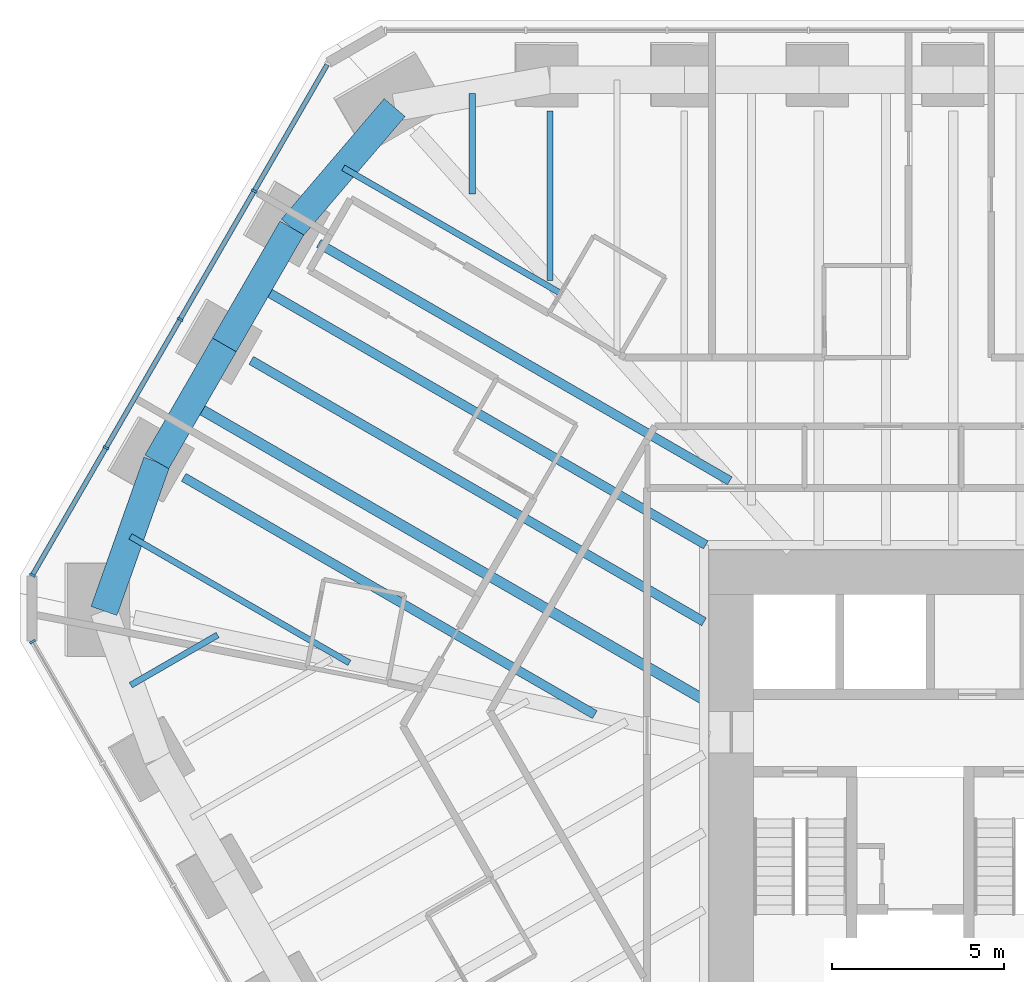
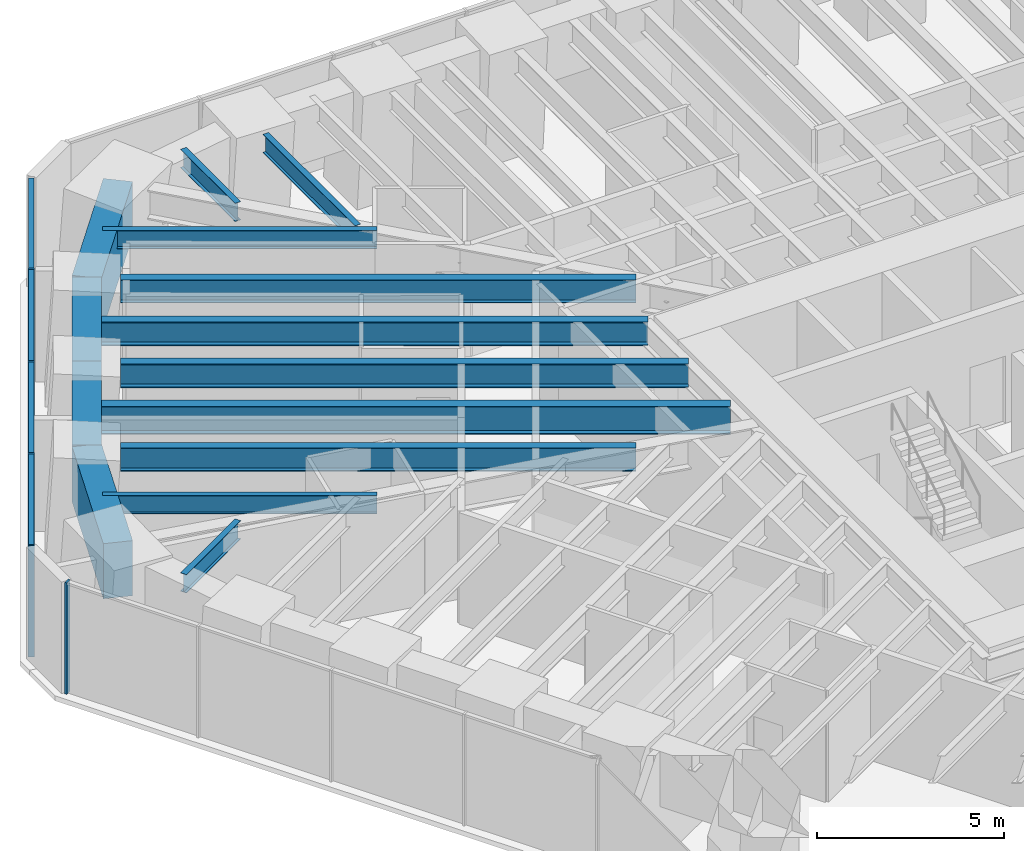
# One storey, part 7 of 17: 14 beams, 9 members, 2 elements without a shape of their own.
"""IFC4 building model written with IfcOpenShell, lengths in metres."""

from ifc_helpers import new_model, si_unit, direction, frame, origin, origin_2d, place, context, subcontext, project, spatial, rectangle, i_section, extrude, material, material_profile, profile_set, type_object, element, aggregate, save


model = new_model("IFC4")

# Units and contexts
model_context = context("Model", 3, precision=1e-05, world=origin(), true_north=direction((0.0, 1.0)))
body_context = subcontext(model_context, "Body", "Model", "MODEL_VIEW")
ifc_project = project(units=[si_unit("LENGTHUNIT", "METRE"), si_unit("AREAUNIT", "SQUARE_METRE"), si_unit("VOLUMEUNIT", "CUBIC_METRE"), si_unit("PLANEANGLEUNIT", "RADIAN"), si_unit("MASSUNIT", "GRAM", prefix="KILO")], contexts=[model_context])

# Site, building, storey
site_placement = place(None, origin())
site = spatial("IfcSite", under=ifc_project, at=site_placement, CompositionType="ELEMENT")
building_placement = place(site_placement, origin())
building = spatial("IfcBuilding", under=site, at=building_placement, Name="Sandreach Pilgrim Tower", CompositionType="ELEMENT")
storey_placement = place(building_placement, frame((0.0, 0.0, 150.0)))
storey = spatial("IfcBuildingStorey", under=building, at=storey_placement, Name="L37", CompositionType="ELEMENT", Elevation=150.0)

# Curtain wall, member
ifc_material_1 = material(Name="Aluminium framed curtain wall", Category="aluminium")
curtain_wall_type = type_object("IfcCurtainWallType", Name="Hotel tower curtain wall", PredefinedType="NOTDEFINED", material=ifc_material_1)
curtain_wall_1_placement = place(storey_placement, origin())
curtain_wall_1 = element("IfcCurtainWall", 1, at=curtain_wall_1_placement, inside=storey, type_object=curtain_wall_type, Name="CW-2 L37 SW", PredefinedType="NOTDEFINED")
ifc_material_2 = material(Name="Aluminium extrusion", Category="aluminium")
ifc_material_profile_1 = material_profile(ifc_material_2, rectangle(XDim=0.06494140625, YDim=0.179931640625, at=origin_2d()), Name="CW-2M 65X180")
ifc_profile_set_1 = profile_set([ifc_material_profile_1], Name="Aluminium extrusion")
member_type_1 = type_object("IfcMemberType", Name="CW-2 mullion", PredefinedType="MULLION", material=ifc_profile_set_1)
member_1_placement = place(storey_placement, frame((-28.70458984375, 4.730224609375, 0.0), z_axis=(0.0, 0.0, 1.0), x_axis=(-0.5, 0.866025403784, 0.0)))
member_1 = element("IfcMember", 2, at=member_1_placement, type_object=member_type_1, Name="CW-2 mullion 10", PredefinedType="MULLION", context=body_context, shape_type="SweptSolid", body=[
    extrude(rectangle(XDim=0.06494140625, YDim=0.179931640625, at=origin_2d()), origin(), (0.0, 0.0, 1.0), 3.639892578125),
])
aggregate(curtain_wall_1, [member_1])

# Curtain wall, members
curtain_wall_2_placement = place(storey_placement, origin())
curtain_wall_2 = element("IfcCurtainWall", 3, at=curtain_wall_2_placement, inside=storey, type_object=curtain_wall_type, Name="CW-2 L37 NW", PredefinedType="NOTDEFINED")
member_2_placement = place(storey_placement, frame((-28.70458984375, 6.66650390625, 0.0), z_axis=(0.0, 0.0, 1.0), x_axis=(0.5, 0.866025403784, 0.0)))
member_2 = element("IfcMember", 4, at=member_2_placement, type_object=member_type_1, Name="CW-2 mullion 1", PredefinedType="MULLION", context=body_context, shape_type="SweptSolid", body=[
    extrude(rectangle(XDim=0.06494140625, YDim=0.179931640625, at=origin_2d()), origin(), (0.0, 0.0, 1.0), 3.639892578125),
])
member_3_placement = place(storey_placement, frame((-26.568115234375, 10.3671875, 0.0), z_axis=(0.0, 0.0, 1.0), x_axis=(0.5, 0.866025403784, 0.0)))
member_3 = element("IfcMember", 5, at=member_3_placement, type_object=member_type_1, Name="CW-2 mullion 2", PredefinedType="MULLION", context=body_context, shape_type="SweptSolid", body=[
    extrude(rectangle(XDim=0.06494140625, YDim=0.179931640625, at=origin_2d()), origin(), (0.0, 0.0, 1.0), 3.639892578125),
])
member_4_placement = place(storey_placement, frame((-24.415283203125, 14.09619140625, 0.0), z_axis=(0.0, 0.0, 1.0), x_axis=(0.5, 0.866025403784, 0.0)))
member_4 = element("IfcMember", 6, at=member_4_placement, type_object=member_type_1, Name="CW-2 mullion 3", PredefinedType="MULLION", context=body_context, shape_type="SweptSolid", body=[
    extrude(rectangle(XDim=0.06494140625, YDim=0.179931640625, at=origin_2d()), origin(), (0.0, 0.0, 1.0), 3.639892578125),
])
member_5_placement = place(storey_placement, frame((-22.262451171875, 17.824951171875, 0.0), z_axis=(0.0, 0.0, 1.0), x_axis=(0.5, 0.866025403784, 0.0)))
member_5 = element("IfcMember", 7, at=member_5_placement, type_object=member_type_1, Name="CW-2 mullion 4", PredefinedType="MULLION", context=body_context, shape_type="SweptSolid", body=[
    extrude(rectangle(XDim=0.06494140625, YDim=0.179931640625, at=origin_2d()), origin(), (0.0, 0.0, 1.0), 3.639892578125),
])
ifc_material_3 = material(Name="Aluminium extrusion", Category="aluminium")
ifc_material_profile_2 = material_profile(ifc_material_3, rectangle(XDim=0.139892578125, YDim=0.070068359375, at=origin_2d()), Name="CW-2T 140X70")
ifc_profile_set_2 = profile_set([ifc_material_profile_2], Name="Aluminium extrusion")
member_type_2 = type_object("IfcMemberType", Name="CW-2 transom", PredefinedType="USERDEFINED", material=ifc_profile_set_2)
member_6_placement = place(storey_placement, frame((-28.6884765625, 6.69482421875, 3.60498046875), z_axis=(0.500038835258, 0.866002981077, 0.0), x_axis=(-0.866002981077, 0.500038835258, 0.0)))
member_6 = element("IfcMember", 8, at=member_6_placement, type_object=member_type_2, Name="CW-2 head transom 1", ObjectType="TRANSOM", PredefinedType="USERDEFINED", context=body_context, shape_type="SweptSolid", body=[
    extrude(rectangle(XDim=0.139892578125, YDim=0.070068359375, at=origin_2d()), origin(), (0.0, 0.0, 1.0), 4.208251953125),
])
member_7_placement = place(storey_placement, frame((-26.5517578125, 10.3955078125, 3.60498046875), z_axis=(0.500021471012, 0.866013007135, 0.0), x_axis=(-0.866013007135, 0.500021471012, 0.0)))
member_7 = element("IfcMember", 9, at=member_7_placement, type_object=member_type_2, Name="CW-2 head transom 2", ObjectType="TRANSOM", PredefinedType="USERDEFINED", context=body_context, shape_type="SweptSolid", body=[
    extrude(rectangle(XDim=0.139892578125, YDim=0.070068359375, at=origin_2d()), origin(), (0.0, 0.0, 1.0), 4.240478515625),
])
member_8_placement = place(storey_placement, frame((-24.39892578125, 14.124267578125, 3.60498046875), z_axis=(0.499996541496, 0.866027400544, 0.0), x_axis=(-0.866027400544, 0.499996541496, 0.0)))
member_8 = element("IfcMember", 10, at=member_8_placement, type_object=member_type_2, Name="CW-2 head transom 3", ObjectType="TRANSOM", PredefinedType="USERDEFINED", context=body_context, shape_type="SweptSolid", body=[
    extrude(rectangle(XDim=0.139892578125, YDim=0.070068359375, at=origin_2d()), origin(), (0.0, 0.0, 1.0), 4.24072265625),
])
member_9_placement = place(storey_placement, frame((-22.24609375, 17.85302734375, 3.60498046875), z_axis=(0.49997020258, 0.86604260665, 0.0), x_axis=(-0.86604260665, 0.49997020258, 0.0)))
member_9 = element("IfcMember", 11, at=member_9_placement, type_object=member_type_2, Name="CW-2 head transom 4", ObjectType="TRANSOM", PredefinedType="USERDEFINED", context=body_context, shape_type="SweptSolid", body=[
    extrude(rectangle(XDim=0.139892578125, YDim=0.070068359375, at=origin_2d()), origin(), (0.0, 0.0, 1.0), 4.208251953125),
])
aggregate(curtain_wall_2, [member_2, member_3, member_4, member_5, member_6, member_7, member_8, member_9])

# Beams
ifc_material_4 = material(Name="Steel ASTM A992 Grade 50", Category="steel")
ifc_material_profile_3 = material_profile(ifc_material_4, i_section(OverallWidth=0.1787109375, OverallDepth=0.60205078125, WebThickness=0.010986328125, FlangeThickness=0.014892578125, at=origin_2d()), Name="W24X62")
ifc_profile_set_3 = profile_set([ifc_material_profile_3], Name="Steel ASTM A992 Grade 50")
beam_type_1 = type_object("IfcBeamType", Name="Floor beam W24X62", PredefinedType="BEAM", material=ifc_profile_set_3)
beam_1_placement = place(storey_placement, frame((-13.673095703125, 20.154052734375, 3.339111328125), z_axis=(0.0, -1.0, 0.0), x_axis=(1.0, 0.0, 0.0)))
element("IfcBeam", 12, at=beam_1_placement, inside=storey, type_object=beam_type_1, Name="BM L37 F01", PredefinedType="BEAM", context=body_context, shape_type="SweptSolid", body=[
    extrude(i_section(OverallWidth=0.1787109375, OverallDepth=0.60205078125, WebThickness=0.010986328125, FlangeThickness=0.014892578125, at=origin_2d()), origin(), (0.0, 0.0, 1.0), 4.9267578125),
])
beam_2_placement = place(storey_placement, frame((-25.84912109375, 3.46826171875, 3.339111328125), z_axis=(0.866058604602, 0.499942490088, 0.0), x_axis=(-0.499942490088, 0.866058604602, 0.0)))
element("IfcBeam", 13, at=beam_2_placement, inside=storey, type_object=beam_type_1, Name="BM L37 FM34", PredefinedType="BEAM", context=body_context, shape_type="SweptSolid", body=[
    extrude(i_section(OverallWidth=0.1787109375, OverallDepth=0.60205078125, WebThickness=0.010986328125, FlangeThickness=0.014892578125, at=origin_2d()), origin(), (0.0, 0.0, 1.0), 2.913330078125),
])
for number, where, z_axis, x_axis, name in (
    (14, (-25.859375, 7.78955078125, 3.339111328125), (0.866019551165, -0.500010136897, 0.0), (0.500010136897, 0.866019551165, 0.0), "BM L37 FM35"),
    (15, (-19.675537109375, 18.5, 3.339111328125), (0.866033942116, -0.499985210883, 0.0), (0.499985210883, 0.866033942116, 0.0), "BM L37 FM38"),
):
    element("IfcBeam", number, at=place(storey_placement, frame(where, z_axis=z_axis, x_axis=x_axis)), inside=storey, type_object=beam_type_1, Name=name, PredefinedType="BEAM", context=body_context, shape_type="SweptSolid", body=[
        extrude(i_section(OverallWidth=0.1787109375, OverallDepth=0.60205078125, WebThickness=0.010986328125, FlangeThickness=0.014892578125, at=origin_2d()), origin(), (0.0, 0.0, 1.0), 7.345947265625),
    ])
beam_3_placement = place(storey_placement, frame((-15.927978515625, 20.65185546875, 3.339111328125), z_axis=(0.0, -1.0, 0.0), x_axis=(1.0, 0.0, 0.0)))
element("IfcBeam", 16, at=beam_3_placement, inside=storey, type_object=beam_type_1, Name="BM L37 FM39", PredefinedType="BEAM", context=body_context, shape_type="SweptSolid", body=[
    extrude(i_section(OverallWidth=0.1787109375, OverallDepth=0.60205078125, WebThickness=0.010986328125, FlangeThickness=0.014892578125, at=origin_2d()), origin(), (0.0, 0.0, 1.0), 2.913330078125),
])
ifc_material_5 = material(Name="Steel ASTM A992 Grade 50", Category="steel")
ifc_material_profile_4 = material_profile(ifc_material_5, i_section(OverallWidth=0.2666015625, OverallDepth=0.761962890625, WebThickness=0.014404296875, FlangeThickness=0.021484375, at=origin_2d()), Name="W30X116")
ifc_profile_set_4 = profile_set([ifc_material_profile_4], Name="Steel ASTM A992 Grade 50")
beam_type_2 = type_object("IfcBeamType", Name="Floor beam W30X116", PredefinedType="BEAM", material=ifc_profile_set_4)
for number, where, z_axis, x_axis, name in (
    (17, (-24.31103515625, 9.507080078125, 3.259033203125), (0.866023159588, -0.500003887042, 0.0), (0.500003887042, 0.866023159588, 0.0), "BM L37 F36"),
    (18, (-20.388916015625, 16.300537109375, 3.259033203125), (0.866023159588, -0.500003887042, 0.0), (0.500003887042, 0.866023159588, 0.0), "BM L37 F38"),
):
    element("IfcBeam", number, at=place(storey_placement, frame(where, z_axis=z_axis, x_axis=x_axis)), inside=storey, type_object=beam_type_2, Name=name, PredefinedType="BEAM", context=body_context, shape_type="SweptSolid", body=[
        extrude(i_section(OverallWidth=0.2666015625, OverallDepth=0.761962890625, WebThickness=0.014404296875, FlangeThickness=0.021484375, at=origin_2d()), origin(), (0.0, 0.0, 1.0), 13.7919921875),
    ])
ifc_material_6 = material(Name="Steel ASTM A992 Grade 50", Category="steel")
ifc_material_profile_5 = material_profile(ifc_material_6, i_section(OverallWidth=0.2666015625, OverallDepth=0.77978515625, WebThickness=0.0166015625, FlangeThickness=0.030029296875, at=origin_2d()), Name="W30X148")
ifc_profile_set_5 = profile_set([ifc_material_profile_5], Name="Steel ASTM A992 Grade 50")
beam_type_3 = type_object("IfcBeamType", Name="Floor beam W30X148", PredefinedType="BEAM", material=ifc_profile_set_5)
beam_4_placement = place(storey_placement, frame((-22.35009765625, 12.90380859375, 3.25), z_axis=(0.866028229025, -0.499995106507, 0.0), x_axis=(0.499995106507, 0.866028229025, 0.0)))
element("IfcBeam", 19, at=beam_4_placement, inside=storey, type_object=beam_type_3, Name="BM L37 F37", PredefinedType="BEAM", context=body_context, shape_type="SweptSolid", body=[
    extrude(i_section(OverallWidth=0.2666015625, OverallDepth=0.77978515625, WebThickness=0.0166015625, FlangeThickness=0.030029296875, at=origin_2d()), origin(), (0.0, 0.0, 1.0), 15.192138671875),
])
beam_5_placement = place(storey_placement, frame((-22.14892578125, 15.05224609375, 3.25), z_axis=(0.866025588148, -0.499999680672, 0.0), x_axis=(0.499999680672, 0.866025588148, 0.0)))
element("IfcBeam", 20, at=beam_5_placement, inside=storey, type_object=beam_type_3, Name="BM L37 FM37", PredefinedType="BEAM", context=body_context, shape_type="SweptSolid", body=[
    extrude(i_section(OverallWidth=0.2666015625, OverallDepth=0.77978515625, WebThickness=0.0166015625, FlangeThickness=0.030029296875, at=origin_2d()), origin(), (0.0, 0.0, 1.0), 15.017578125),
])
ifc_material_7 = material(Name="Steel ASTM A992 Grade 50", Category="steel")
ifc_material_profile_6 = material_profile(ifc_material_7, i_section(OverallWidth=0.3046875, OverallDepth=0.914306640625, WebThickness=0.0166015625, FlangeThickness=0.02587890625, at=origin_2d()), Name="W36X160")
ifc_profile_set_6 = profile_set([ifc_material_profile_6], Name="Steel ASTM A992 Grade 50")
beam_type_4 = type_object("IfcBeamType", Name="Floor beam W36X160", PredefinedType="BEAM", material=ifc_profile_set_6)
beam_6_placement = place(storey_placement, frame((-24.110107421875, 11.655517578125, 3.182861328125), z_axis=(0.866022482888, -0.500005059107, 0.0), x_axis=(0.500005059107, 0.866022482888, 0.0)))
element("IfcBeam", 21, at=beam_6_placement, inside=storey, type_object=beam_type_4, Name="BM L37 FM36", PredefinedType="BEAM", context=body_context, shape_type="SweptSolid", body=[
    extrude(i_section(OverallWidth=0.3046875, OverallDepth=0.914306640625, WebThickness=0.0166015625, FlangeThickness=0.02587890625, at=origin_2d()), origin(), (0.0, 0.0, 1.0), 17.224365234375),
])
ifc_material_8 = material(Name="Concrete 10000 psi", Category="concrete")
ifc_material_profile_7 = material_profile(ifc_material_8, rectangle(XDim=0.800048828125, YDim=1.800048828125, at=origin_2d()), Name="RC800X1800")
ifc_profile_set_7 = profile_set([ifc_material_profile_7], Name="Concrete 10000 psi")
beam_type_5 = type_object("IfcBeamType", Name="Spandrel beam RC800X1800", PredefinedType="SPANDREL", material=ifc_profile_set_7)
beam_7_placement = place(storey_placement, frame((-26.628173828125, 5.6220703125, 2.739990234375), z_axis=(0.334291224315, 0.942469828348, 0.0), x_axis=(-0.942469828348, 0.334291224315, 0.0)))
element("IfcBeam", 22, at=beam_7_placement, inside=storey, type_object=beam_type_5, Name="BM L37 SP35", PredefinedType="SPANDREL", context=body_context, shape_type="SweptSolid", body=[
    extrude(rectangle(XDim=0.800048828125, YDim=1.800048828125, at=origin_2d()), origin(), (0.0, 0.0, 1.0), 4.599609375),
])
for number, where, z_axis, x_axis, name in (
    (23, (-25.090576171875, 9.95703125, 2.739990234375), (0.500015205077, 0.866016624951, 0.0), (-0.866016624951, 0.500015205077, 0.0), "BM L37 SP36"),
    (24, (-23.12939453125, 13.353759765625, 2.739990234375), (0.500015205077, 0.866016624951, 0.0), (-0.866016624951, 0.500015205077, 0.0), "BM L37 SP37"),
):
    element("IfcBeam", number, at=place(storey_placement, frame(where, z_axis=z_axis, x_axis=x_axis)), inside=storey, type_object=beam_type_5, Name=name, PredefinedType="SPANDREL", context=body_context, shape_type="SweptSolid", body=[
        extrude(rectangle(XDim=0.800048828125, YDim=1.800048828125, at=origin_2d()), origin(), (0.0, 0.0, 1.0), 3.92236328125),
    ])
beam_8_placement = place(storey_placement, frame((-21.168212890625, 16.75048828125, 2.739990234375), z_axis=(0.649058659157, 0.760738363022, 0.0), x_axis=(-0.760738363022, 0.649058659157, 0.0)))
element("IfcBeam", 25, at=beam_8_placement, inside=storey, type_object=beam_type_5, Name="BM L37 SP38", PredefinedType="SPANDREL", context=body_context, shape_type="SweptSolid", body=[
    extrude(rectangle(XDim=0.800048828125, YDim=1.800048828125, at=origin_2d()), origin(), (0.0, 0.0, 1.0), 4.599609375),
])

save(model, "model.ifc")
